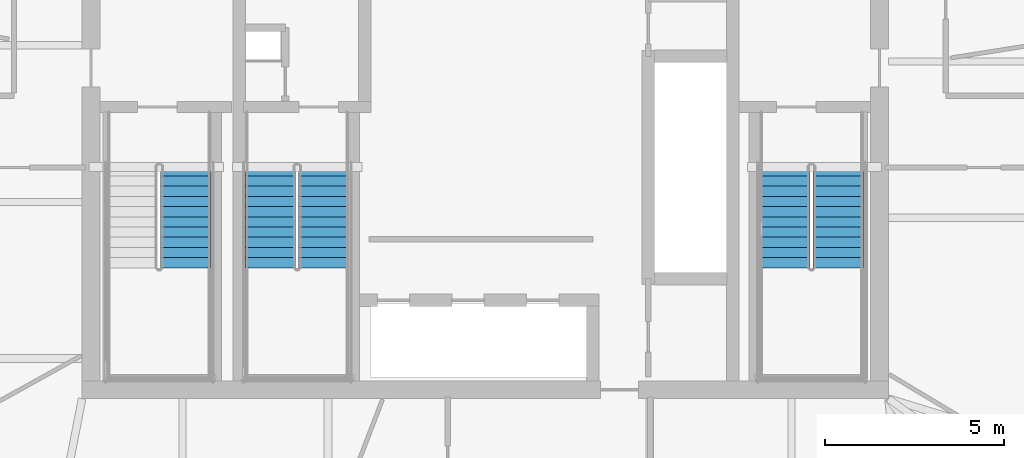
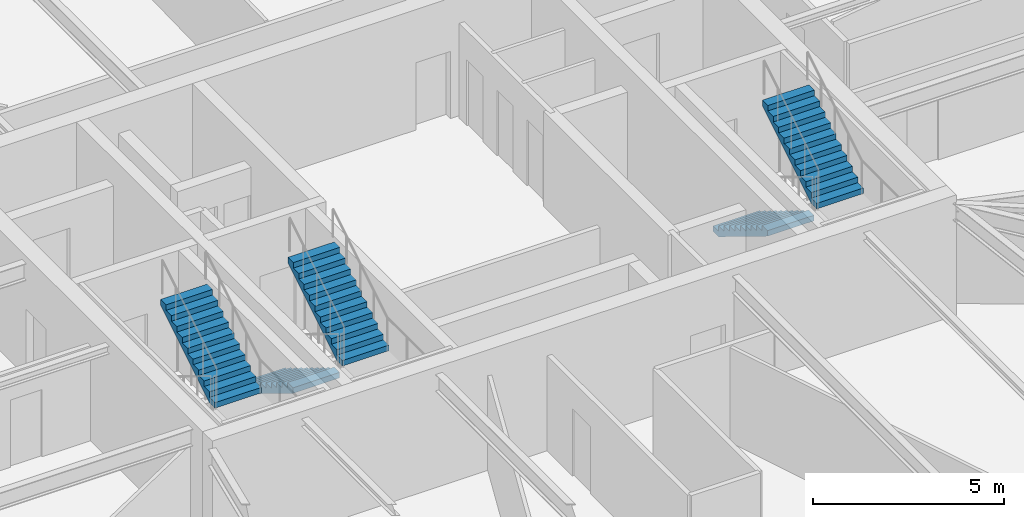
# One storey, part 15 of 18: 5 stair flights, 3 elements without a shape of their own.
"""IFC4 building model written with IfcOpenShell, lengths in metres."""

from ifc_helpers import new_model, si_unit, direction, frame, origin, place, context, subcontext, project, spatial, polyline, outline, extrude, material, type_object, element, aggregate, save


model = new_model("IFC4")

# Units and contexts
model_context = context("Model", 3, precision=1e-05, world=origin(), true_north=direction((0.0, 1.0)))
body_context = subcontext(model_context, "Body", "Model", "MODEL_VIEW")
ifc_project = project(units=[si_unit("LENGTHUNIT", "METRE"), si_unit("AREAUNIT", "SQUARE_METRE"), si_unit("VOLUMEUNIT", "CUBIC_METRE"), si_unit("PLANEANGLEUNIT", "RADIAN"), si_unit("MASSUNIT", "GRAM", prefix="KILO")], contexts=[model_context])

# Site, building, storey
site_placement = place(None, origin())
site = spatial("IfcSite", under=ifc_project, at=site_placement, CompositionType="ELEMENT")
building_placement = place(site_placement, origin())
building = spatial("IfcBuilding", under=site, at=building_placement, Name="Bramvorn Convention Spire", CompositionType="ELEMENT")
storey_placement = place(building_placement, frame((0.0, 0.0, 182.75)))
storey = spatial("IfcBuildingStorey", under=building, at=storey_placement, Name="L46", CompositionType="ELEMENT", Elevation=182.75)

# Stair, stair flight
ifc_material_1 = material(Name="Concrete C40/50 Precast Stair", Category="concrete")
stair_type = type_object("IfcStairType", Name="ST-TOWER-1550", PredefinedType="HALF_TURN_STAIR", material=ifc_material_1)
stair_1_placement = place(storey_placement, origin())
stair_1 = element("IfcStair", 1, at=stair_1_placement, inside=storey, type_object=stair_type, Name="L46 Protected Exit Stair ST1", PredefinedType="HALF_TURN_STAIR")
ifc_material_2 = material(Name="Concrete C40/50 Precast Stair Flight", Category="concrete")
stair_flight_type = type_object("IfcStairFlightType", Name="STF-TOWER-1550", PredefinedType="STRAIGHT", material=ifc_material_2)
stair_flight_1_placement = place(storey_placement, frame((29.64501953125, 22.199951171875, 1.925048828125), z_axis=(0.0, 0.0, 1.0), x_axis=(0.0, 1.0, 0.0)))
stair_flight_1 = element("IfcStairFlight", 2, at=stair_flight_1_placement, type_object=stair_flight_type, Name="ST1 flight 2", NumberOfRisers=11, NumberOfTreads=10, PredefinedType="STRAIGHT", RiserHeight=0.175, TreadLength=0.285, context=body_context, shape_type="SweptSolid", body=[
    extrude(outline(polyline([(0.0, 0.0), (0.0, 0.175048828125), (0.284912109375, 0.175048828125), (0.284912109375, 0.35009765625), (0.570068359375, 0.35009765625), (0.570068359375, 0.52490234375), (0.85498046875, 0.52490234375), (0.85498046875, 0.699951171875), (1.139892578125, 0.699951171875), (1.139892578125, 0.875), (1.425048828125, 0.875), (1.425048828125, 1.050048828125), (1.7099609375, 1.050048828125), (1.7099609375, 1.22509765625), (1.9951171875, 1.22509765625), (1.9951171875, 1.39990234375), (2.280029296875, 1.39990234375), (2.280029296875, 1.574951171875), (2.56494140625, 1.574951171875), (2.56494140625, 1.75), (2.85009765625, 1.75), (2.85009765625, 1.925048828125), (2.85009765625, 1.573974609375), (0.286376953125, 0.0), (0.0, 0.0)])), frame((0.0, 0.705078125, 0.0), z_axis=(0.0, -1.0, 0.0), x_axis=(1.0, 0.0, 0.0)), (0.0, 0.0, 1.0), 1.409912109375),
])
aggregate(stair_1, [stair_flight_1])

# Stair, stair flights
stair_2_placement = place(storey_placement, origin())
stair_2 = element("IfcStair", 3, at=stair_2_placement, inside=storey, type_object=stair_type, Name="L46 Protected Exit Stair ST2", PredefinedType="HALF_TURN_STAIR")
stair_flight_2_placement = place(storey_placement, frame((46.35498046875, 25.050048828125, 0.0), z_axis=(0.0, 0.0, 1.0), x_axis=(0.0, -1.0, 0.0)))
stair_flight_2 = element("IfcStairFlight", 4, at=stair_flight_2_placement, type_object=stair_flight_type, Name="ST2 flight 1", NumberOfRisers=11, NumberOfTreads=10, PredefinedType="STRAIGHT", RiserHeight=0.175, TreadLength=0.285, context=body_context, shape_type="SweptSolid", body=[
    extrude(outline(polyline([(0.0, 0.0), (0.0, 0.175048828125), (0.284912109375, 0.175048828125), (0.284912109375, 0.35009765625), (0.570068359375, 0.35009765625), (0.570068359375, 0.52490234375), (0.85498046875, 0.52490234375), (0.85498046875, 0.699951171875), (1.139892578125, 0.699951171875), (1.139892578125, 0.875), (1.425048828125, 0.875), (1.425048828125, 1.050048828125), (1.7099609375, 1.050048828125), (1.7099609375, 1.22509765625), (1.9951171875, 1.22509765625), (1.9951171875, 1.39990234375), (2.280029296875, 1.39990234375), (2.280029296875, 1.574951171875), (2.56494140625, 1.574951171875), (2.56494140625, 1.75), (2.85009765625, 1.75), (2.85009765625, 1.925048828125), (2.85009765625, 1.573974609375), (0.286376953125, 0.0), (0.0, 0.0)])), frame((0.0, 0.705078125, 0.0), z_axis=(0.0, -1.0, 0.0), x_axis=(1.0, 0.0, 0.0)), (0.0, 0.0, 1.0), 1.409912109375),
])
stair_flight_3_placement = place(storey_placement, frame((47.844970703125, 22.199951171875, 1.925048828125), z_axis=(0.0, 0.0, 1.0), x_axis=(0.0, 1.0, 0.0)))
stair_flight_3 = element("IfcStairFlight", 5, at=stair_flight_3_placement, type_object=stair_flight_type, Name="ST2 flight 2", NumberOfRisers=11, NumberOfTreads=10, PredefinedType="STRAIGHT", RiserHeight=0.175, TreadLength=0.285, context=body_context, shape_type="SweptSolid", body=[
    extrude(outline(polyline([(0.0, 0.0), (0.0, 0.175048828125), (0.284912109375, 0.175048828125), (0.284912109375, 0.35009765625), (0.570068359375, 0.35009765625), (0.570068359375, 0.52490234375), (0.85498046875, 0.52490234375), (0.85498046875, 0.699951171875), (1.139892578125, 0.699951171875), (1.139892578125, 0.875), (1.425048828125, 0.875), (1.425048828125, 1.050048828125), (1.7099609375, 1.050048828125), (1.7099609375, 1.22509765625), (1.9951171875, 1.22509765625), (1.9951171875, 1.39990234375), (2.280029296875, 1.39990234375), (2.280029296875, 1.574951171875), (2.56494140625, 1.574951171875), (2.56494140625, 1.75), (2.85009765625, 1.75), (2.85009765625, 1.925048828125), (2.85009765625, 1.573974609375), (0.286376953125, 0.0), (0.0, 0.0)])), frame((0.0, 0.705078125, 0.0), z_axis=(0.0, -1.0, 0.0), x_axis=(1.0, 0.0, 0.0)), (0.0, 0.0, 1.0), 1.409912109375),
])
aggregate(stair_2, [stair_flight_2, stair_flight_3])

stair_3_placement = place(storey_placement, origin())
stair_3 = element("IfcStair", 6, at=stair_3_placement, inside=storey, type_object=stair_type, Name="L46 Protected Exit Stair ST3", PredefinedType="HALF_TURN_STAIR")
stair_flight_4_placement = place(storey_placement, frame((32.0048828125, 25.050048828125, 0.0), z_axis=(0.0, 0.0, 1.0), x_axis=(0.0, -1.0, 0.0)))
stair_flight_4 = element("IfcStairFlight", 7, at=stair_flight_4_placement, type_object=stair_flight_type, Name="ST3 flight 1", NumberOfRisers=11, NumberOfTreads=10, PredefinedType="STRAIGHT", RiserHeight=0.175, TreadLength=0.285, context=body_context, shape_type="SweptSolid", body=[
    extrude(outline(polyline([(0.0, 0.0), (0.0, 0.175048828125), (0.284912109375, 0.175048828125), (0.284912109375, 0.35009765625), (0.570068359375, 0.35009765625), (0.570068359375, 0.52490234375), (0.85498046875, 0.52490234375), (0.85498046875, 0.699951171875), (1.139892578125, 0.699951171875), (1.139892578125, 0.875), (1.425048828125, 0.875), (1.425048828125, 1.050048828125), (1.7099609375, 1.050048828125), (1.7099609375, 1.22509765625), (1.9951171875, 1.22509765625), (1.9951171875, 1.39990234375), (2.280029296875, 1.39990234375), (2.280029296875, 1.574951171875), (2.56494140625, 1.574951171875), (2.56494140625, 1.75), (2.85009765625, 1.75), (2.85009765625, 1.925048828125), (2.85009765625, 1.573974609375), (0.286376953125, 0.0), (0.0, 0.0)])), frame((0.0, 0.705078125, 0.0), z_axis=(0.0, -1.0, 0.0), x_axis=(1.0, 0.0, 0.0)), (0.0, 0.0, 1.0), 1.409912109375),
])
stair_flight_5_placement = place(storey_placement, frame((33.4951171875, 22.199951171875, 1.925048828125), z_axis=(0.0, 0.0, 1.0), x_axis=(0.0, 1.0, 0.0)))
stair_flight_5 = element("IfcStairFlight", 8, at=stair_flight_5_placement, type_object=stair_flight_type, Name="ST3 flight 2", NumberOfRisers=11, NumberOfTreads=10, PredefinedType="STRAIGHT", RiserHeight=0.175, TreadLength=0.285, context=body_context, shape_type="SweptSolid", body=[
    extrude(outline(polyline([(0.0, 0.0), (0.0, 0.175048828125), (0.284912109375, 0.175048828125), (0.284912109375, 0.35009765625), (0.570068359375, 0.35009765625), (0.570068359375, 0.52490234375), (0.85498046875, 0.52490234375), (0.85498046875, 0.699951171875), (1.139892578125, 0.699951171875), (1.139892578125, 0.875), (1.425048828125, 0.875), (1.425048828125, 1.050048828125), (1.7099609375, 1.050048828125), (1.7099609375, 1.22509765625), (1.9951171875, 1.22509765625), (1.9951171875, 1.39990234375), (2.280029296875, 1.39990234375), (2.280029296875, 1.574951171875), (2.56494140625, 1.574951171875), (2.56494140625, 1.75), (2.85009765625, 1.75), (2.85009765625, 1.925048828125), (2.85009765625, 1.573974609375), (0.286376953125, 0.0), (0.0, 0.0)])), frame((0.0, 0.705078125, 0.0), z_axis=(0.0, -1.0, 0.0), x_axis=(1.0, 0.0, 0.0)), (0.0, 0.0, 1.0), 1.409912109375),
])
aggregate(stair_3, [stair_flight_4, stair_flight_5])

save(model, "model.ifc")
